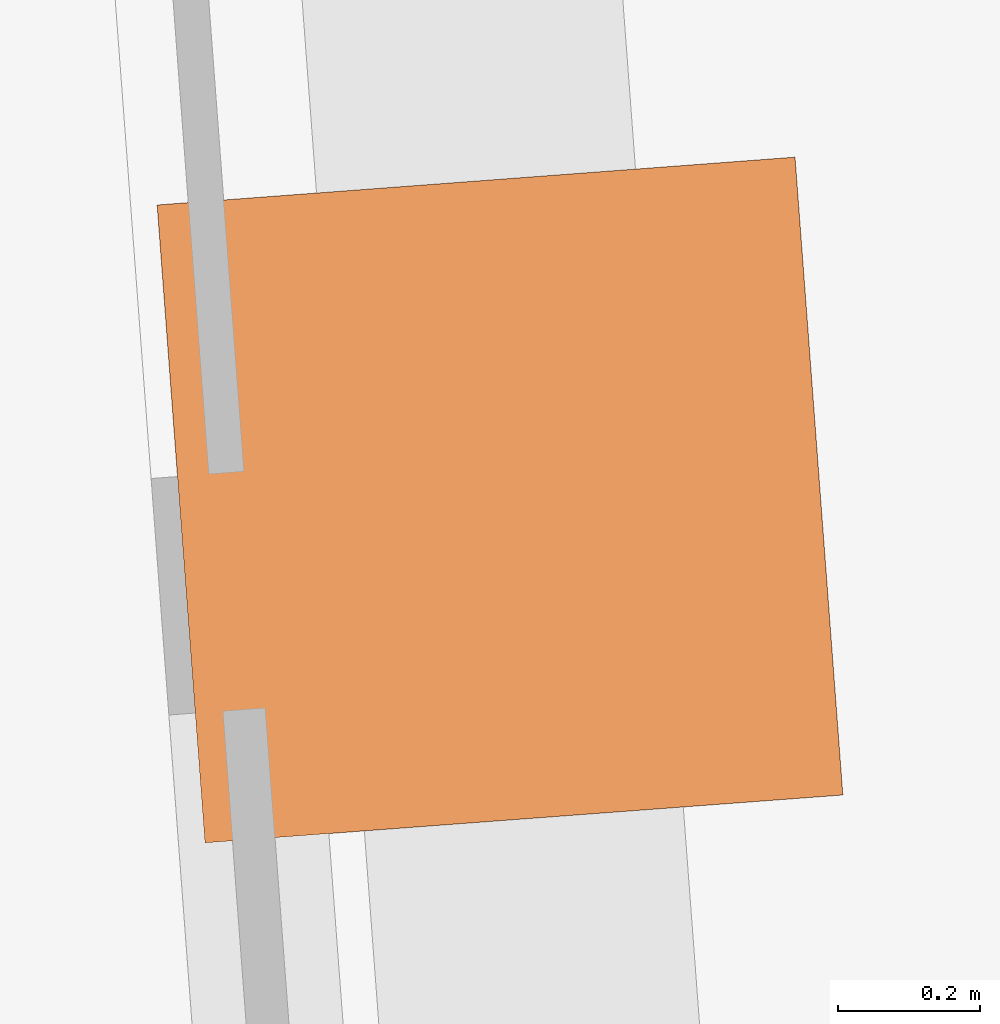
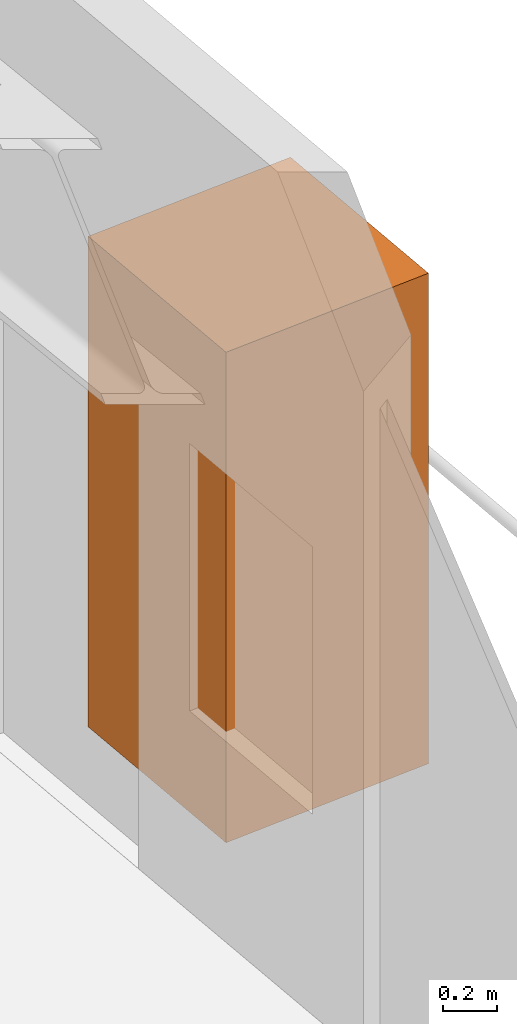
# One storey, part 9 of 9: 1 geographic element.
"""IFC4 building model written with IfcOpenShell, lengths in metres."""

import ifcopenshell
import ifcopenshell.guid

model = None  # the IFC model being written
_history = None  # IfcOwnerHistory: only IFC2X3 demands one
_inside = {}  # id of a spatial element -> (the spatial element, [elements in it])
_under = {}  # id of a project, library or spatial element -> (it, [spatial elements below it])
_declared = {}  # id of a project -> (the project, [libraries it declares])
_typed = {}  # id of a type object -> (the type object, [elements of that type])
_made_of = {}  # id of a material, layer set ... -> (it, [elements and type objects made of it])


def new_model(schema):
    """Start an empty IFC model of exactly this schema.

    Asked for "IFC4X3", IfcOpenShell would pick the latest addendum, in which some entities
    have other attributes; the version numbers below select the first issue.
    IFC2X3 requires an IfcOwnerHistory on every rooted entity: one is made here for all.
    """
    global model, _history
    if schema == "IFC4X3":
        model = ifcopenshell.file(schema_version=(4, 3, 0, 0))
    else:
        model = ifcopenshell.file(schema=schema)
    _inside.clear()
    _under.clear()
    _declared.clear()
    _typed.clear()
    _made_of.clear()
    _history = None
    if model.schema == "IFC2X3":
        org = make("IfcOrganization", Name="unknown")
        user = make(
            "IfcPersonAndOrganization",
            ThePerson=make("IfcPerson", FamilyName="unknown"),
            TheOrganization=org,
        )
        app = make(
            "IfcApplication",
            ApplicationDeveloper=org,
            Version="unknown",
            ApplicationFullName="unknown",
            ApplicationIdentifier="unknown",
        )
        _history = make(
            "IfcOwnerHistory",
            OwningUser=user,
            OwningApplication=app,
            ChangeAction="ADDED",
            CreationDate=0,
        )
    return model


def make(cls, **values):
    """One entity of the class cls with the attributes given. An attribute that is None is left unset."""
    return model.create_entity(
        cls, **{name: value for name, value in values.items() if value is not None}
    )


def rooted(cls, **values):
    """An entity with a GlobalId (a new one), such as an element, a storey or a relation."""
    return make(cls, GlobalId=ifcopenshell.guid.new(), OwnerHistory=_history, **values)


def si_unit(unit_type, name, prefix=None):
    """IfcSIUnit, for example si_unit("LENGTHUNIT", "METRE", prefix="MILLI")."""
    return make("IfcSIUnit", UnitType=unit_type, Prefix=prefix, Name=name)


def assignment(units):
    """IfcUnitAssignment: the units of a project."""
    return None if units is None else make("IfcUnitAssignment", Units=units)


def point(xyz):
    """IfcCartesianPoint."""
    return None if xyz is None else make("IfcCartesianPoint", Coordinates=xyz)


def direction(xyz):
    """IfcDirection."""
    return None if xyz is None else make("IfcDirection", DirectionRatios=xyz)


def frame(location, z_axis=None, x_axis=None):
    """IfcAxis2Placement3D, a coordinate frame: its origin and axes. An axis left out is left unset."""
    return make(
        "IfcAxis2Placement3D",
        Location=point(location),
        Axis=direction(z_axis),
        RefDirection=direction(x_axis),
    )


def frame_2d(location, x_axis=None):
    """IfcAxis2Placement2D, a coordinate frame in the plane: its origin and x axis."""
    return make(
        "IfcAxis2Placement2D", Location=point(location), RefDirection=direction(x_axis)
    )


def origin():
    """The frame at (0, 0, 0) with its axes left unset."""
    return frame((0.0, 0.0, 0.0))


def origin_2d():
    """The frame at (0, 0) in the plane with its x axis left unset."""
    return frame_2d((0.0, 0.0))


def place(relative_to, where):
    """IfcLocalPlacement: puts the frame where relative to a parent placement (None: the world)."""
    return make(
        "IfcLocalPlacement", PlacementRelTo=relative_to, RelativePlacement=where
    )


def context(
    kind, dimensions, precision=None, world=None, true_north=None, identifier=None
):
    """IfcGeometricRepresentationContext, for example the 3D "Model" context."""
    return make(
        "IfcGeometricRepresentationContext",
        ContextIdentifier=identifier,
        ContextType=kind,
        CoordinateSpaceDimension=dimensions,
        Precision=precision,
        WorldCoordinateSystem=world,
        TrueNorth=true_north,
    )


def subcontext(parent, identifier, kind, view, scale=None):
    """IfcGeometricRepresentationSubContext, for example "Body" below "Model"."""
    return make(
        "IfcGeometricRepresentationSubContext",
        ContextIdentifier=identifier,
        ContextType=kind,
        ParentContext=parent,
        TargetScale=scale,
        TargetView=view,
    )


def project(units=None, contexts=None):
    """IfcProject with its units and contexts."""
    return rooted(
        "IfcProject",
        Name="project",
        RepresentationContexts=contexts,
        UnitsInContext=assignment(units),
    )


def spatial(cls, under=None, at=None, **own):
    """A site, building, storey or space (cls), placed at a placement, below another one or the project."""
    s = rooted(cls, ObjectPlacement=at, **own)
    if under is not None:
        _under.setdefault(under.id(), (under, []))[1].append(s)
    return s


def profile(cls, at=None, kind="AREA", **sizes):
    """A parametric profile (cls). Its sizes go by their IFC names, for example OverallWidth=200.0."""
    return make(cls, ProfileType=kind, Position=at, **sizes)


def rectangle(**sizes):
    """IfcRectangleProfileDef."""
    return profile("IfcRectangleProfileDef", **sizes)


def extrude(swept, where, along, depth):
    """IfcExtrudedAreaSolid: the profile swept, set in the frame where, extruded along a direction by depth."""
    return make(
        "IfcExtrudedAreaSolid",
        SweptArea=swept,
        Position=where,
        ExtrudedDirection=direction(along),
        Depth=depth,
    )


def shape(context_of_items, identifier, shape_type, items):
    """IfcShapeRepresentation: the items that make up one representation, for example the "Body"."""
    return make(
        "IfcShapeRepresentation",
        ContextOfItems=context_of_items,
        RepresentationIdentifier=identifier,
        RepresentationType=shape_type,
        Items=items,
    )


def material(Name=None, Category=None):
    """IfcMaterial."""
    return make("IfcMaterial", Name=Name, Category=Category)


def made_of(thing, what):
    """Note that an element or type object is made of a material, layer set ...; save() writes the relation."""
    if what is not None:
        _made_of.setdefault(what.id(), (what, []))[1].append(thing)
    return thing


def type_object(cls, material=None, **own):
    """A type object (cls), such as IfcWallType, which elements share."""
    return made_of(rooted(cls, **own), material)


def element(
    cls,
    number,
    at=None,
    inside=None,
    cuts=None,
    type_object=None,
    material=None,
    context=None,
    identifier="Body",
    shape_type=None,
    held_by="IfcProductDefinitionShape",
    body=None,
    shapes=None,
    **own,
):
    """One element of the class cls, such as IfcWall. Its Tag is "e" and its number.

    at: its placement. inside: the storey or other place that contains it. cuts: it is an
    opening in that element (IfcRelVoidsElement). A single representation is given by context,
    identifier, shape_type and body (its items); several are given by shapes. held_by: the class
    of the entity that holds the representations. save() writes the other relations.
    """
    e = rooted(cls, Tag="e%d" % number, ObjectPlacement=at, **own)
    if body is not None:
        shapes = [shape(context, identifier, shape_type, body)]
    if shapes is not None:
        e.Representation = make(held_by, Representations=shapes)
    if inside is not None:
        _inside.setdefault(inside.id(), (inside, []))[1].append(e)
    if cuts is not None:
        rooted(
            "IfcRelVoidsElement", RelatingBuildingElement=cuts, RelatedOpeningElement=e
        )
    if type_object is not None:
        _typed.setdefault(type_object.id(), (type_object, []))[1].append(e)
    return made_of(e, material)


def aggregate(whole, parts):
    """IfcRelAggregates: a whole, such as a stair, and the parts it consists of."""
    return rooted("IfcRelAggregates", RelatingObject=whole, RelatedObjects=parts)


def save(model, path):
    """Write the relations noted so far, then the file.

    IfcRelAggregates (storeys below a building ...), IfcRelContainedInSpatialStructure (elements
    in a storey), IfcRelDefinesByType, IfcRelAssociatesMaterial and IfcRelDeclares: one each for
    every whole, place, type object, material and project.
    """
    for whole, parts in _under.values():
        aggregate(whole, parts)
    for where, things in _inside.values():
        rooted(
            "IfcRelContainedInSpatialStructure",
            RelatedElements=things,
            RelatingStructure=where,
        )
    for kind, things in _typed.values():
        rooted("IfcRelDefinesByType", RelatedObjects=things, RelatingType=kind)
    for what, things in _made_of.values():
        rooted("IfcRelAssociatesMaterial", RelatedObjects=things, RelatingMaterial=what)
    for by, libraries in _declared.values():
        rooted("IfcRelDeclares", RelatingContext=by, RelatedDefinitions=libraries)
    model.write(path)


model = new_model("IFC4")

# Units and contexts
model_context = context("Model", 3, precision=1e-05, world=origin(), true_north=direction((0.0, 1.0)))
body_context = subcontext(model_context, "Body", "Model", "MODEL_VIEW")
ifc_project = project(units=[si_unit("LENGTHUNIT", "METRE"), si_unit("AREAUNIT", "SQUARE_METRE"), si_unit("VOLUMEUNIT", "CUBIC_METRE"), si_unit("PLANEANGLEUNIT", "RADIAN"), si_unit("MASSUNIT", "GRAM", prefix="KILO")], contexts=[model_context])

# Site, building, storey
site_placement = place(None, origin())
site = spatial("IfcSite", under=ifc_project, at=site_placement, CompositionType="ELEMENT")
building_placement = place(site_placement, origin())
building = spatial("IfcBuilding", under=site, at=building_placement, Name="Verdant Reach Tower", CompositionType="ELEMENT")
storey_placement = place(building_placement, frame((0.0, 0.0, 166.0)))
storey = spatial("IfcBuildingStorey", under=building, at=storey_placement, Name="L38", CompositionType="ELEMENT", Elevation=166.0)

# Geographic element
ifc_material = material(Name="Planting")
geographic_element_type = type_object("IfcGeographicElementType", Name="EN-TREE", PredefinedType="USERDEFINED", material=ifc_material)
geographic_element_placement = place(storey_placement, frame((24.164306640625, 19.322021484375, 0.39990234375), z_axis=(0.0, 0.0, 1.0), x_axis=(-0.074789948245, 0.997199309888, 0.0)))
element("IfcGeographicElement", 1, at=geographic_element_placement, inside=storey, type_object=geographic_element_type, Name="Balcony tree, Guabiroba (Campomanesia xanthocarpa), L38 1", ObjectType="TREE", PredefinedType="USERDEFINED", context=body_context, shape_type="SweptSolid", body=[
    extrude(rectangle(XDim=0.89990234375, YDim=0.89990234375, at=origin_2d()), origin(), (0.0, 0.0, 1.0), 2.199951171875),
])

save(model, "model.ifc")
